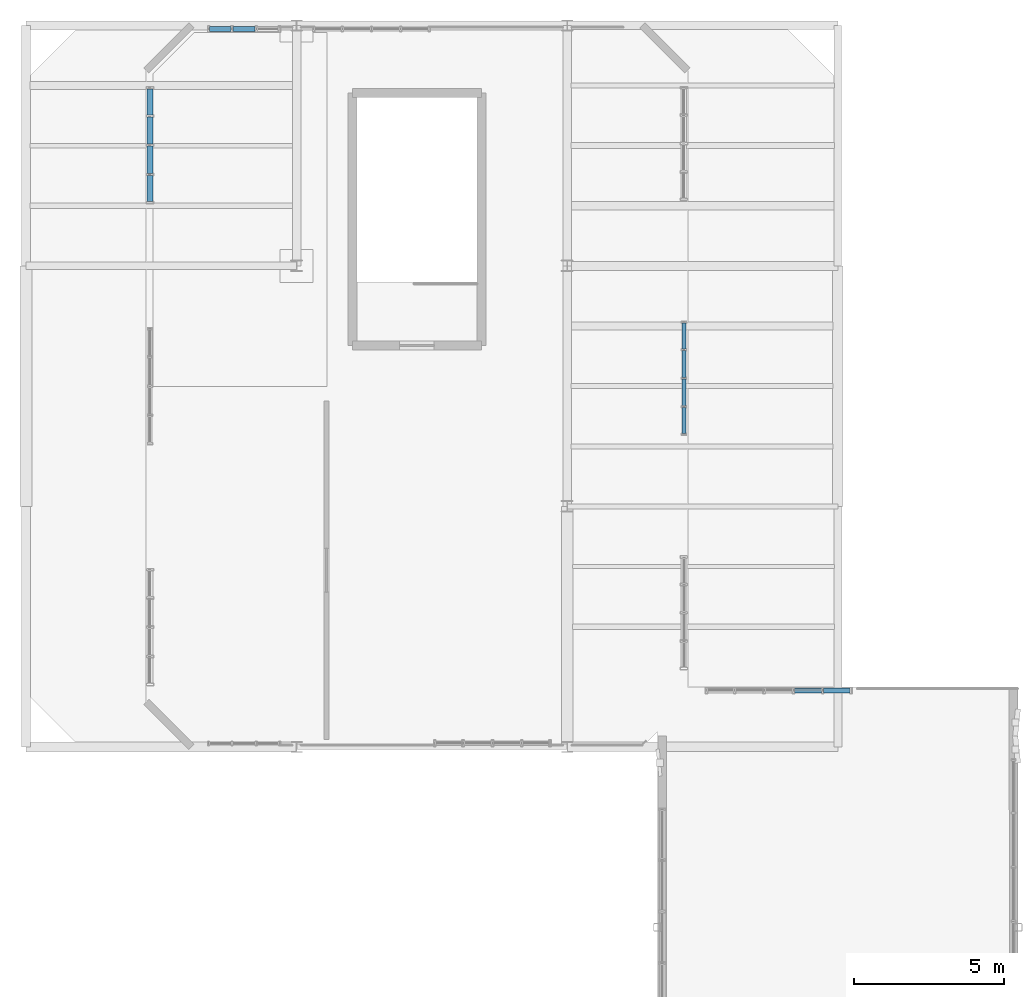
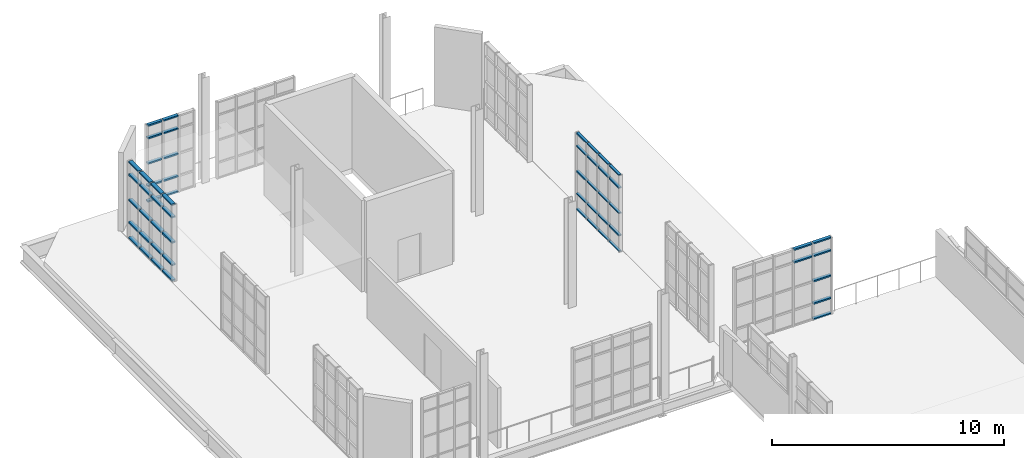
# One storey, part 25 of 36: 57 members, 4 elements without a shape of their own.
"""IFC4 building model written with IfcOpenShell, lengths in metres."""

from ifc_helpers import new_model, si_unit, direction, frame, origin, origin_2d, place, context, subcontext, project, spatial, hollow_rectangle, extrude, material, layer, layer_set, material_profile, profile_set, type_object, element, aggregate, save


model = new_model("IFC4")

# Units and contexts
model_context = context("Model", 3, precision=1e-05, world=origin(), true_north=direction((0.0, 1.0)))
body_context = subcontext(model_context, "Body", "Model", "MODEL_VIEW")
ifc_project = project(units=[si_unit("LENGTHUNIT", "METRE"), si_unit("AREAUNIT", "SQUARE_METRE"), si_unit("VOLUMEUNIT", "CUBIC_METRE"), si_unit("PLANEANGLEUNIT", "RADIAN"), si_unit("MASSUNIT", "GRAM", prefix="KILO"), si_unit("THERMODYNAMICTEMPERATUREUNIT", "KELVIN"), si_unit("POWERUNIT", "WATT")], contexts=[model_context])

# Site, building, storey
site_placement = place(None, origin())
site = spatial("IfcSite", under=ifc_project, at=site_placement, CompositionType="ELEMENT")
building_placement = place(site_placement, origin())
building = spatial("IfcBuilding", under=site, at=building_placement, Name="Zelmaris Science Centre", CompositionType="ELEMENT")
storey_placement = place(building_placement, frame((0.0, 0.0, 25.199951171875)))
storey = spatial("IfcBuildingStorey", under=building, at=storey_placement, Name="L05", CompositionType="ELEMENT", Elevation=25.199951171875)

# Curtain wall, members
ifc_material = material(Name="Anodised architectural aluminium 6063-T6", Category="aluminium")
ifc_layer_1 = layer(ifc_material, 0.2099609375, Name="Anodised architectural aluminium 6063-T6")
ifc_layer_set_1 = layer_set([ifc_layer_1], Name="Anodised architectural aluminium 6063-T6")
curtain_wall_type_1 = type_object("IfcCurtainWallType", Name="Curtain Wall CW-03", PredefinedType="USERDEFINED", material=ifc_layer_set_1)
curtain_wall_1_placement = place(storey_placement, origin())
curtain_wall_1 = element("IfcCurtainWall", 1, at=curtain_wall_1_placement, inside=storey, type_object=curtain_wall_type_1, Name="L05 Unitised curtain wall 363", ObjectType="GLAZED CURTAIN WALL", PredefinedType="USERDEFINED")
ifc_material_profile_1 = material_profile(ifc_material, hollow_rectangle(XDim=0.06494140625, YDim=0.1298828125, WallThickness=0.00341796875, at=origin_2d()), Name="ALU-TRN-65X130")
ifc_profile_set_1 = profile_set([ifc_material_profile_1], Name="Anodised architectural aluminium 6063-T6")
member_type_1 = type_object("IfcMemberType", Name="ALU-TRN-65X130", PredefinedType="USERDEFINED", material=ifc_profile_set_1)
member_1_placement = place(storey_placement, frame((75.88232421875, 78.100341796875, 0.013427734375), z_axis=(0.000283848981, -0.999999959715, 0.0), x_axis=(0.0, 0.0, 1.0)))
member_1 = element("IfcMember", 2, at=member_1_placement, type_object=member_type_1, Name="CW-03 transom 1.1", ObjectType="TRANSOM", PredefinedType="USERDEFINED", context=body_context, shape_type="SweptSolid", body=[
    extrude(hollow_rectangle(XDim=0.06494140625, YDim=0.1298828125, WallThickness=0.00341796875, at=origin_2d()), origin(), (0.0, 0.0, 1.0), 0.860107421875),
])
member_2_placement = place(storey_placement, frame((75.88232421875, 78.100341796875, 0.8349609375), z_axis=(0.000283848981, -0.999999959715, 0.0), x_axis=(0.0, 0.0, 1.0)))
member_2 = element("IfcMember", 3, at=member_2_placement, type_object=member_type_1, Name="CW-03 transom 1.2", ObjectType="TRANSOM", PredefinedType="USERDEFINED", context=body_context, shape_type="SweptSolid", body=[
    extrude(hollow_rectangle(XDim=0.06494140625, YDim=0.1298828125, WallThickness=0.00341796875, at=origin_2d()), origin(), (0.0, 0.0, 1.0), 0.860107421875),
])
member_3_placement = place(storey_placement, frame((75.88232421875, 78.100341796875, 2.012451171875), z_axis=(0.000283848981, -0.999999959715, 0.0), x_axis=(0.0, 0.0, 1.0)))
member_3 = element("IfcMember", 4, at=member_3_placement, type_object=member_type_1, Name="CW-03 transom 1.3", ObjectType="TRANSOM", PredefinedType="USERDEFINED", context=body_context, shape_type="SweptSolid", body=[
    extrude(hollow_rectangle(XDim=0.06494140625, YDim=0.1298828125, WallThickness=0.00341796875, at=origin_2d()), origin(), (0.0, 0.0, 1.0), 0.860107421875),
])
member_4_placement = place(storey_placement, frame((75.88232421875, 78.100341796875, 3.340087890625), z_axis=(0.000283848981, -0.999999959715, 0.0), x_axis=(0.0, 0.0, 1.0)))
member_4 = element("IfcMember", 5, at=member_4_placement, type_object=member_type_1, Name="CW-03 transom 1.4", ObjectType="TRANSOM", PredefinedType="USERDEFINED", context=body_context, shape_type="SweptSolid", body=[
    extrude(hollow_rectangle(XDim=0.06494140625, YDim=0.1298828125, WallThickness=0.00341796875, at=origin_2d()), origin(), (0.0, 0.0, 1.0), 0.860107421875),
])
member_5_placement = place(storey_placement, frame((75.88232421875, 78.100341796875, 4.011474609375), z_axis=(0.000283848981, -0.999999959715, 0.0), x_axis=(0.0, 0.0, 1.0)))
member_5 = element("IfcMember", 6, at=member_5_placement, type_object=member_type_1, Name="CW-03 transom 1.5", ObjectType="TRANSOM", PredefinedType="USERDEFINED", context=body_context, shape_type="SweptSolid", body=[
    extrude(hollow_rectangle(XDim=0.06494140625, YDim=0.1298828125, WallThickness=0.00341796875, at=origin_2d()), origin(), (0.0, 0.0, 1.0), 0.860107421875),
])
member_6_placement = place(storey_placement, frame((75.882568359375, 77.183349609375, 0.013427734375), z_axis=(0.000549601456, -0.999999848969, 0.0), x_axis=(0.0, 0.0, 1.0)))
member_6 = element("IfcMember", 7, at=member_6_placement, type_object=member_type_1, Name="CW-03 transom 2.1", ObjectType="TRANSOM", PredefinedType="USERDEFINED", context=body_context, shape_type="SweptSolid", body=[
    extrude(hollow_rectangle(XDim=0.06494140625, YDim=0.1298828125, WallThickness=0.00341796875, at=origin_2d()), origin(), (0.0, 0.0, 1.0), 0.888427734375),
])
member_7_placement = place(storey_placement, frame((75.882568359375, 77.183349609375, 0.8349609375), z_axis=(0.000549601456, -0.999999848969, 0.0), x_axis=(0.0, 0.0, 1.0)))
member_7 = element("IfcMember", 8, at=member_7_placement, type_object=member_type_1, Name="CW-03 transom 2.2", ObjectType="TRANSOM", PredefinedType="USERDEFINED", context=body_context, shape_type="SweptSolid", body=[
    extrude(hollow_rectangle(XDim=0.06494140625, YDim=0.1298828125, WallThickness=0.00341796875, at=origin_2d()), origin(), (0.0, 0.0, 1.0), 0.888427734375),
])
member_8_placement = place(storey_placement, frame((75.882568359375, 77.183349609375, 2.012451171875), z_axis=(0.000549601456, -0.999999848969, 0.0), x_axis=(0.0, 0.0, 1.0)))
member_8 = element("IfcMember", 9, at=member_8_placement, type_object=member_type_1, Name="CW-03 transom 2.3", ObjectType="TRANSOM", PredefinedType="USERDEFINED", context=body_context, shape_type="SweptSolid", body=[
    extrude(hollow_rectangle(XDim=0.06494140625, YDim=0.1298828125, WallThickness=0.00341796875, at=origin_2d()), origin(), (0.0, 0.0, 1.0), 0.888427734375),
])
member_9_placement = place(storey_placement, frame((75.882568359375, 77.183349609375, 3.340087890625), z_axis=(0.000549601456, -0.999999848969, 0.0), x_axis=(0.0, 0.0, 1.0)))
member_9 = element("IfcMember", 10, at=member_9_placement, type_object=member_type_1, Name="CW-03 transom 2.4", ObjectType="TRANSOM", PredefinedType="USERDEFINED", context=body_context, shape_type="SweptSolid", body=[
    extrude(hollow_rectangle(XDim=0.06494140625, YDim=0.1298828125, WallThickness=0.00341796875, at=origin_2d()), origin(), (0.0, 0.0, 1.0), 0.888427734375),
])
member_10_placement = place(storey_placement, frame((75.882568359375, 77.183349609375, 4.011474609375), z_axis=(0.000549601456, -0.999999848969, 0.0), x_axis=(0.0, 0.0, 1.0)))
member_10 = element("IfcMember", 11, at=member_10_placement, type_object=member_type_1, Name="CW-03 transom 2.5", ObjectType="TRANSOM", PredefinedType="USERDEFINED", context=body_context, shape_type="SweptSolid", body=[
    extrude(hollow_rectangle(XDim=0.06494140625, YDim=0.1298828125, WallThickness=0.00341796875, at=origin_2d()), origin(), (0.0, 0.0, 1.0), 0.888427734375),
])
member_11_placement = place(storey_placement, frame((75.883056640625, 76.23779296875, 0.013427734375), z_axis=(0.000274800759, -0.999999962242, 0.0), x_axis=(0.0, 0.0, 1.0)))
member_11 = element("IfcMember", 12, at=member_11_placement, type_object=member_type_1, Name="CW-03 transom 3.1", ObjectType="TRANSOM", PredefinedType="USERDEFINED", context=body_context, shape_type="SweptSolid", body=[
    extrude(hollow_rectangle(XDim=0.06494140625, YDim=0.1298828125, WallThickness=0.00341796875, at=origin_2d()), origin(), (0.0, 0.0, 1.0), 0.888427734375),
])
member_12_placement = place(storey_placement, frame((75.883056640625, 76.23779296875, 0.8349609375), z_axis=(0.000274800759, -0.999999962242, 0.0), x_axis=(0.0, 0.0, 1.0)))
member_12 = element("IfcMember", 13, at=member_12_placement, type_object=member_type_1, Name="CW-03 transom 3.2", ObjectType="TRANSOM", PredefinedType="USERDEFINED", context=body_context, shape_type="SweptSolid", body=[
    extrude(hollow_rectangle(XDim=0.06494140625, YDim=0.1298828125, WallThickness=0.00341796875, at=origin_2d()), origin(), (0.0, 0.0, 1.0), 0.888427734375),
])
member_13_placement = place(storey_placement, frame((75.883056640625, 76.23779296875, 2.012451171875), z_axis=(0.000274800759, -0.999999962242, 0.0), x_axis=(0.0, 0.0, 1.0)))
member_13 = element("IfcMember", 14, at=member_13_placement, type_object=member_type_1, Name="CW-03 transom 3.3", ObjectType="TRANSOM", PredefinedType="USERDEFINED", context=body_context, shape_type="SweptSolid", body=[
    extrude(hollow_rectangle(XDim=0.06494140625, YDim=0.1298828125, WallThickness=0.00341796875, at=origin_2d()), origin(), (0.0, 0.0, 1.0), 0.888427734375),
])
member_14_placement = place(storey_placement, frame((75.883056640625, 76.23779296875, 3.340087890625), z_axis=(0.000274800759, -0.999999962242, 0.0), x_axis=(0.0, 0.0, 1.0)))
member_14 = element("IfcMember", 15, at=member_14_placement, type_object=member_type_1, Name="CW-03 transom 3.4", ObjectType="TRANSOM", PredefinedType="USERDEFINED", context=body_context, shape_type="SweptSolid", body=[
    extrude(hollow_rectangle(XDim=0.06494140625, YDim=0.1298828125, WallThickness=0.00341796875, at=origin_2d()), origin(), (0.0, 0.0, 1.0), 0.888427734375),
])
member_15_placement = place(storey_placement, frame((75.883056640625, 76.23779296875, 4.011474609375), z_axis=(0.000274800759, -0.999999962242, 0.0), x_axis=(0.0, 0.0, 1.0)))
member_15 = element("IfcMember", 16, at=member_15_placement, type_object=member_type_1, Name="CW-03 transom 3.5", ObjectType="TRANSOM", PredefinedType="USERDEFINED", context=body_context, shape_type="SweptSolid", body=[
    extrude(hollow_rectangle(XDim=0.06494140625, YDim=0.1298828125, WallThickness=0.00341796875, at=origin_2d()), origin(), (0.0, 0.0, 1.0), 0.888427734375),
])
member_16_placement = place(storey_placement, frame((75.883544921875, 75.29248046875, 0.013427734375), z_axis=(0.000283848981, -0.999999959715, 0.0), x_axis=(0.0, 0.0, 1.0)))
member_16 = element("IfcMember", 17, at=member_16_placement, type_object=member_type_1, Name="CW-03 transom 4.1", ObjectType="TRANSOM", PredefinedType="USERDEFINED", context=body_context, shape_type="SweptSolid", body=[
    extrude(hollow_rectangle(XDim=0.06494140625, YDim=0.1298828125, WallThickness=0.00341796875, at=origin_2d()), origin(), (0.0, 0.0, 1.0), 0.860107421875),
])
member_17_placement = place(storey_placement, frame((75.883544921875, 75.29248046875, 0.8349609375), z_axis=(0.000283848981, -0.999999959715, 0.0), x_axis=(0.0, 0.0, 1.0)))
member_17 = element("IfcMember", 18, at=member_17_placement, type_object=member_type_1, Name="CW-03 transom 4.2", ObjectType="TRANSOM", PredefinedType="USERDEFINED", context=body_context, shape_type="SweptSolid", body=[
    extrude(hollow_rectangle(XDim=0.06494140625, YDim=0.1298828125, WallThickness=0.00341796875, at=origin_2d()), origin(), (0.0, 0.0, 1.0), 0.860107421875),
])
member_18_placement = place(storey_placement, frame((75.883544921875, 75.29248046875, 2.012451171875), z_axis=(0.000283848981, -0.999999959715, 0.0), x_axis=(0.0, 0.0, 1.0)))
member_18 = element("IfcMember", 19, at=member_18_placement, type_object=member_type_1, Name="CW-03 transom 4.3", ObjectType="TRANSOM", PredefinedType="USERDEFINED", context=body_context, shape_type="SweptSolid", body=[
    extrude(hollow_rectangle(XDim=0.06494140625, YDim=0.1298828125, WallThickness=0.00341796875, at=origin_2d()), origin(), (0.0, 0.0, 1.0), 0.860107421875),
])
member_19_placement = place(storey_placement, frame((75.883544921875, 75.29248046875, 3.340087890625), z_axis=(0.000283848981, -0.999999959715, 0.0), x_axis=(0.0, 0.0, 1.0)))
member_19 = element("IfcMember", 20, at=member_19_placement, type_object=member_type_1, Name="CW-03 transom 4.4", ObjectType="TRANSOM", PredefinedType="USERDEFINED", context=body_context, shape_type="SweptSolid", body=[
    extrude(hollow_rectangle(XDim=0.06494140625, YDim=0.1298828125, WallThickness=0.00341796875, at=origin_2d()), origin(), (0.0, 0.0, 1.0), 0.860107421875),
])
member_20_placement = place(storey_placement, frame((75.883544921875, 75.29248046875, 4.011474609375), z_axis=(0.000283848981, -0.999999959715, 0.0), x_axis=(0.0, 0.0, 1.0)))
member_20 = element("IfcMember", 21, at=member_20_placement, type_object=member_type_1, Name="CW-03 transom 4.5", ObjectType="TRANSOM", PredefinedType="USERDEFINED", context=body_context, shape_type="SweptSolid", body=[
    extrude(hollow_rectangle(XDim=0.06494140625, YDim=0.1298828125, WallThickness=0.00341796875, at=origin_2d()), origin(), (0.0, 0.0, 1.0), 0.860107421875),
])
aggregate(curtain_wall_1, [member_1, member_2, member_3, member_4, member_5, member_6, member_7, member_8, member_9, member_10, member_11, member_12, member_13, member_14, member_15, member_16, member_17, member_18, member_19, member_20])

ifc_layer_2 = layer(ifc_material, 0.199951171875, Name="Anodised architectural aluminium 6063-T6")
ifc_layer_set_2 = layer_set([ifc_layer_2], Name="Anodised architectural aluminium 6063-T6")
curtain_wall_type_2 = type_object("IfcCurtainWallType", Name="Curtain Wall CW-02", PredefinedType="USERDEFINED", material=ifc_layer_set_2)
curtain_wall_2_placement = place(storey_placement, origin())
curtain_wall_2 = element("IfcCurtainWall", 22, at=curtain_wall_2_placement, inside=storey, type_object=curtain_wall_type_2, Name="L05 Unitised curtain wall 358", ObjectType="GLAZED CURTAIN WALL", PredefinedType="USERDEFINED")
ifc_material_profile_2 = material_profile(ifc_material, hollow_rectangle(XDim=0.074951171875, YDim=0.159912109375, WallThickness=0.00390625, at=origin_2d()), Name="ALU-TRN-75X160")
ifc_profile_set_2 = profile_set([ifc_material_profile_2], Name="Anodised architectural aluminium 6063-T6")
member_type_2 = type_object("IfcMemberType", Name="ALU-TRN-75X160", PredefinedType="USERDEFINED", material=ifc_profile_set_2)
member_21_placement = place(storey_placement, frame((60.1083984375, 87.8798828125, 0.0185546875), z_axis=(1.0, 0.0, 0.0), x_axis=(0.0, 0.0, 1.0)))
member_21 = element("IfcMember", 23, at=member_21_placement, type_object=member_type_2, Name="CW-02 transom 1.1", ObjectType="TRANSOM", PredefinedType="USERDEFINED", context=body_context, shape_type="SweptSolid", body=[
    extrude(hollow_rectangle(XDim=0.074951171875, YDim=0.159912109375, WallThickness=0.00390625, at=origin_2d()), origin(), (0.0, 0.0, 1.0), 0.705810546875),
])
member_22_placement = place(storey_placement, frame((60.1083984375, 87.8798828125, 0.8349609375), z_axis=(1.0, 0.0, 0.0), x_axis=(0.0, 0.0, 1.0)))
member_22 = element("IfcMember", 24, at=member_22_placement, type_object=member_type_2, Name="CW-02 transom 1.2", ObjectType="TRANSOM", PredefinedType="USERDEFINED", context=body_context, shape_type="SweptSolid", body=[
    extrude(hollow_rectangle(XDim=0.074951171875, YDim=0.159912109375, WallThickness=0.00390625, at=origin_2d()), origin(), (0.0, 0.0, 1.0), 0.705810546875),
])
member_23_placement = place(storey_placement, frame((60.1083984375, 87.8798828125, 2.012451171875), z_axis=(1.0, 0.0, 0.0), x_axis=(0.0, 0.0, 1.0)))
member_23 = element("IfcMember", 25, at=member_23_placement, type_object=member_type_2, Name="CW-02 transom 1.3", ObjectType="TRANSOM", PredefinedType="USERDEFINED", context=body_context, shape_type="SweptSolid", body=[
    extrude(hollow_rectangle(XDim=0.074951171875, YDim=0.159912109375, WallThickness=0.00390625, at=origin_2d()), origin(), (0.0, 0.0, 1.0), 0.705810546875),
])
member_24_placement = place(storey_placement, frame((60.1083984375, 87.8798828125, 3.340087890625), z_axis=(1.0, 0.0, 0.0), x_axis=(0.0, 0.0, 1.0)))
member_24 = element("IfcMember", 26, at=member_24_placement, type_object=member_type_2, Name="CW-02 transom 1.4", ObjectType="TRANSOM", PredefinedType="USERDEFINED", context=body_context, shape_type="SweptSolid", body=[
    extrude(hollow_rectangle(XDim=0.074951171875, YDim=0.159912109375, WallThickness=0.00390625, at=origin_2d()), origin(), (0.0, 0.0, 1.0), 0.705810546875),
])
member_25_placement = place(storey_placement, frame((60.1083984375, 87.8798828125, 4.006591796875), z_axis=(1.0, 0.0, 0.0), x_axis=(0.0, 0.0, 1.0)))
member_25 = element("IfcMember", 27, at=member_25_placement, type_object=member_type_2, Name="CW-02 transom 1.5", ObjectType="TRANSOM", PredefinedType="USERDEFINED", context=body_context, shape_type="SweptSolid", body=[
    extrude(hollow_rectangle(XDim=0.074951171875, YDim=0.159912109375, WallThickness=0.00390625, at=origin_2d()), origin(), (0.0, 0.0, 1.0), 0.705810546875),
])
member_26_placement = place(storey_placement, frame((60.881103515625, 87.8798828125, 0.0185546875), z_axis=(1.0, 0.0, 0.0), x_axis=(0.0, 0.0, 1.0)))
member_26 = element("IfcMember", 28, at=member_26_placement, type_object=member_type_2, Name="CW-02 transom 2.1", ObjectType="TRANSOM", PredefinedType="USERDEFINED", context=body_context, shape_type="SweptSolid", body=[
    extrude(hollow_rectangle(XDim=0.074951171875, YDim=0.159912109375, WallThickness=0.00390625, at=origin_2d()), origin(), (0.0, 0.0, 1.0), 0.7392578125),
])
member_27_placement = place(storey_placement, frame((60.881103515625, 87.8798828125, 0.8349609375), z_axis=(1.0, 0.0, 0.0), x_axis=(0.0, 0.0, 1.0)))
member_27 = element("IfcMember", 29, at=member_27_placement, type_object=member_type_2, Name="CW-02 transom 2.2", ObjectType="TRANSOM", PredefinedType="USERDEFINED", context=body_context, shape_type="SweptSolid", body=[
    extrude(hollow_rectangle(XDim=0.074951171875, YDim=0.159912109375, WallThickness=0.00390625, at=origin_2d()), origin(), (0.0, 0.0, 1.0), 0.7392578125),
])
member_28_placement = place(storey_placement, frame((60.881103515625, 87.8798828125, 2.012451171875), z_axis=(1.0, 0.0, 0.0), x_axis=(0.0, 0.0, 1.0)))
member_28 = element("IfcMember", 30, at=member_28_placement, type_object=member_type_2, Name="CW-02 transom 2.3", ObjectType="TRANSOM", PredefinedType="USERDEFINED", context=body_context, shape_type="SweptSolid", body=[
    extrude(hollow_rectangle(XDim=0.074951171875, YDim=0.159912109375, WallThickness=0.00390625, at=origin_2d()), origin(), (0.0, 0.0, 1.0), 0.7392578125),
])
member_29_placement = place(storey_placement, frame((60.881103515625, 87.8798828125, 3.340087890625), z_axis=(1.0, 0.0, 0.0), x_axis=(0.0, 0.0, 1.0)))
member_29 = element("IfcMember", 31, at=member_29_placement, type_object=member_type_2, Name="CW-02 transom 2.4", ObjectType="TRANSOM", PredefinedType="USERDEFINED", context=body_context, shape_type="SweptSolid", body=[
    extrude(hollow_rectangle(XDim=0.074951171875, YDim=0.159912109375, WallThickness=0.00390625, at=origin_2d()), origin(), (0.0, 0.0, 1.0), 0.7392578125),
])
member_30_placement = place(storey_placement, frame((60.881103515625, 87.8798828125, 4.006591796875), z_axis=(1.0, 0.0, 0.0), x_axis=(0.0, 0.0, 1.0)))
member_30 = element("IfcMember", 32, at=member_30_placement, type_object=member_type_2, Name="CW-02 transom 2.5", ObjectType="TRANSOM", PredefinedType="USERDEFINED", context=body_context, shape_type="SweptSolid", body=[
    extrude(hollow_rectangle(XDim=0.074951171875, YDim=0.159912109375, WallThickness=0.00390625, at=origin_2d()), origin(), (0.0, 0.0, 1.0), 0.7392578125),
])
aggregate(curtain_wall_2, [member_21, member_22, member_23, member_24, member_25, member_26, member_27, member_28, member_29, member_30])

curtain_wall_3_placement = place(storey_placement, origin())
curtain_wall_3 = element("IfcCurtainWall", 33, at=curtain_wall_3_placement, inside=storey, type_object=curtain_wall_type_2, Name="L05 Unitised curtain wall 366", ObjectType="GLAZED CURTAIN WALL", PredefinedType="USERDEFINED")
member_31_placement = place(storey_placement, frame((79.555419921875, 65.8798828125, 3.340087890625), z_axis=(1.0, 0.0, 0.0), x_axis=(0.0, 0.0, 1.0)))
member_31 = element("IfcMember", 34, at=member_31_placement, type_object=member_type_2, Name="CW-02 transom 4.4", ObjectType="TRANSOM", PredefinedType="USERDEFINED", context=body_context, shape_type="SweptSolid", body=[
    extrude(hollow_rectangle(XDim=0.074951171875, YDim=0.159912109375, WallThickness=0.00390625, at=origin_2d()), origin(), (0.0, 0.0, 1.0), 0.906982421875),
])
member_32_placement = place(storey_placement, frame((79.555419921875, 65.8798828125, 4.006591796875), z_axis=(1.0, 0.0, 0.0), x_axis=(0.0, 0.0, 1.0)))
member_32 = element("IfcMember", 35, at=member_32_placement, type_object=member_type_2, Name="CW-02 transom 4.5", ObjectType="TRANSOM", PredefinedType="USERDEFINED", context=body_context, shape_type="SweptSolid", body=[
    extrude(hollow_rectangle(XDim=0.074951171875, YDim=0.159912109375, WallThickness=0.00390625, at=origin_2d()), origin(), (0.0, 0.0, 1.0), 0.906982421875),
])
member_33_placement = place(storey_placement, frame((80.529541015625, 65.8798828125, 0.0185546875), z_axis=(1.0, 0.0, 0.0), x_axis=(0.0, 0.0, 1.0)))
member_33 = element("IfcMember", 36, at=member_33_placement, type_object=member_type_2, Name="CW-02 transom 5.1", ObjectType="TRANSOM", PredefinedType="USERDEFINED", context=body_context, shape_type="SweptSolid", body=[
    extrude(hollow_rectangle(XDim=0.074951171875, YDim=0.159912109375, WallThickness=0.00390625, at=origin_2d()), origin(), (0.0, 0.0, 1.0), 0.87353515625),
])
member_34_placement = place(storey_placement, frame((80.529541015625, 65.8798828125, 0.8349609375), z_axis=(1.0, 0.0, 0.0), x_axis=(0.0, 0.0, 1.0)))
member_34 = element("IfcMember", 37, at=member_34_placement, type_object=member_type_2, Name="CW-02 transom 5.2", ObjectType="TRANSOM", PredefinedType="USERDEFINED", context=body_context, shape_type="SweptSolid", body=[
    extrude(hollow_rectangle(XDim=0.074951171875, YDim=0.159912109375, WallThickness=0.00390625, at=origin_2d()), origin(), (0.0, 0.0, 1.0), 0.87353515625),
])
member_35_placement = place(storey_placement, frame((80.529541015625, 65.8798828125, 2.012451171875), z_axis=(1.0, 0.0, 0.0), x_axis=(0.0, 0.0, 1.0)))
member_35 = element("IfcMember", 38, at=member_35_placement, type_object=member_type_2, Name="CW-02 transom 5.3", ObjectType="TRANSOM", PredefinedType="USERDEFINED", context=body_context, shape_type="SweptSolid", body=[
    extrude(hollow_rectangle(XDim=0.074951171875, YDim=0.159912109375, WallThickness=0.00390625, at=origin_2d()), origin(), (0.0, 0.0, 1.0), 0.87353515625),
])
member_36_placement = place(storey_placement, frame((80.529541015625, 65.8798828125, 3.340087890625), z_axis=(1.0, 0.0, 0.0), x_axis=(0.0, 0.0, 1.0)))
member_36 = element("IfcMember", 39, at=member_36_placement, type_object=member_type_2, Name="CW-02 transom 5.4", ObjectType="TRANSOM", PredefinedType="USERDEFINED", context=body_context, shape_type="SweptSolid", body=[
    extrude(hollow_rectangle(XDim=0.074951171875, YDim=0.159912109375, WallThickness=0.00390625, at=origin_2d()), origin(), (0.0, 0.0, 1.0), 0.87353515625),
])
member_37_placement = place(storey_placement, frame((80.529541015625, 65.8798828125, 4.006591796875), z_axis=(1.0, 0.0, 0.0), x_axis=(0.0, 0.0, 1.0)))
member_37 = element("IfcMember", 40, at=member_37_placement, type_object=member_type_2, Name="CW-02 transom 5.5", ObjectType="TRANSOM", PredefinedType="USERDEFINED", context=body_context, shape_type="SweptSolid", body=[
    extrude(hollow_rectangle(XDim=0.074951171875, YDim=0.159912109375, WallThickness=0.00390625, at=origin_2d()), origin(), (0.0, 0.0, 1.0), 0.87353515625),
])
aggregate(curtain_wall_3, [member_31, member_32, member_33, member_34, member_35, member_36, member_37])

ifc_layer_3 = layer(ifc_material, 0.18994140625, Name="Anodised architectural aluminium 6063-T6")
ifc_layer_set_3 = layer_set([ifc_layer_3], Name="Anodised architectural aluminium 6063-T6")
curtain_wall_type_3 = type_object("IfcCurtainWallType", Name="Curtain Wall CW-01", PredefinedType="USERDEFINED", material=ifc_layer_set_3)
curtain_wall_4_placement = place(storey_placement, origin())
curtain_wall_4 = element("IfcCurtainWall", 41, at=curtain_wall_4_placement, inside=storey, type_object=curtain_wall_type_3, Name="L05 Unitised curtain wall 381", ObjectType="GLAZED CURTAIN WALL", PredefinedType="USERDEFINED")
ifc_material_profile_3 = material_profile(ifc_material, hollow_rectangle(XDim=0.080078125, YDim=0.18994140625, WallThickness=0.00439453125, at=origin_2d()), Name="ALU-TRN-80X190")
ifc_profile_set_3 = profile_set([ifc_material_profile_3], Name="Anodised architectural aluminium 6063-T6")
member_type_3 = type_object("IfcMemberType", Name="ALU-TRN-80X190", PredefinedType="USERDEFINED", material=ifc_profile_set_3)
member_38_placement = place(storey_placement, frame((58.1201171875, 82.142822265625, 0.02099609375), z_axis=(0.0, 1.0, 0.0), x_axis=(0.0, 0.0, 1.0)))
member_38 = element("IfcMember", 42, at=member_38_placement, type_object=member_type_3, Name="CW-01 transom 1.1", ObjectType="TRANSOM", PredefinedType="USERDEFINED", context=body_context, shape_type="SweptSolid", body=[
    extrude(hollow_rectangle(XDim=0.080078125, YDim=0.18994140625, WallThickness=0.00439453125, at=origin_2d()), origin(), (0.0, 0.0, 1.0), 0.864013671875),
])
member_39_placement = place(storey_placement, frame((58.1201171875, 82.142822265625, 0.8349609375), z_axis=(0.0, 1.0, 0.0), x_axis=(0.0, 0.0, 1.0)))
member_39 = element("IfcMember", 43, at=member_39_placement, type_object=member_type_3, Name="CW-01 transom 1.2", ObjectType="TRANSOM", PredefinedType="USERDEFINED", context=body_context, shape_type="SweptSolid", body=[
    extrude(hollow_rectangle(XDim=0.080078125, YDim=0.18994140625, WallThickness=0.00439453125, at=origin_2d()), origin(), (0.0, 0.0, 1.0), 0.864013671875),
])
member_40_placement = place(storey_placement, frame((58.1201171875, 82.142822265625, 2.012451171875), z_axis=(0.0, 1.0, 0.0), x_axis=(0.0, 0.0, 1.0)))
member_40 = element("IfcMember", 44, at=member_40_placement, type_object=member_type_3, Name="CW-01 transom 1.3", ObjectType="TRANSOM", PredefinedType="USERDEFINED", context=body_context, shape_type="SweptSolid", body=[
    extrude(hollow_rectangle(XDim=0.080078125, YDim=0.18994140625, WallThickness=0.00439453125, at=origin_2d()), origin(), (0.0, 0.0, 1.0), 0.864013671875),
])
member_41_placement = place(storey_placement, frame((58.1201171875, 82.142822265625, 3.340087890625), z_axis=(0.0, 1.0, 0.0), x_axis=(0.0, 0.0, 1.0)))
member_41 = element("IfcMember", 45, at=member_41_placement, type_object=member_type_3, Name="CW-01 transom 1.4", ObjectType="TRANSOM", PredefinedType="USERDEFINED", context=body_context, shape_type="SweptSolid", body=[
    extrude(hollow_rectangle(XDim=0.080078125, YDim=0.18994140625, WallThickness=0.00439453125, at=origin_2d()), origin(), (0.0, 0.0, 1.0), 0.864013671875),
])
member_42_placement = place(storey_placement, frame((58.1201171875, 82.142822265625, 4.004150390625), z_axis=(0.0, 1.0, 0.0), x_axis=(0.0, 0.0, 1.0)))
member_42 = element("IfcMember", 46, at=member_42_placement, type_object=member_type_3, Name="CW-01 transom 1.5", ObjectType="TRANSOM", PredefinedType="USERDEFINED", context=body_context, shape_type="SweptSolid", body=[
    extrude(hollow_rectangle(XDim=0.080078125, YDim=0.18994140625, WallThickness=0.00439453125, at=origin_2d()), origin(), (0.0, 0.0, 1.0), 0.864013671875),
])
member_43_placement = place(storey_placement, frame((58.1201171875, 83.07861328125, 0.02099609375), z_axis=(0.0, 1.0, 0.0), x_axis=(0.0, 0.0, 1.0)))
member_43 = element("IfcMember", 47, at=member_43_placement, type_object=member_type_3, Name="CW-01 transom 2.1", ObjectType="TRANSOM", PredefinedType="USERDEFINED", context=body_context, shape_type="SweptSolid", body=[
    extrude(hollow_rectangle(XDim=0.080078125, YDim=0.18994140625, WallThickness=0.00439453125, at=origin_2d()), origin(), (0.0, 0.0, 1.0), 0.900146484375),
])
member_44_placement = place(storey_placement, frame((58.1201171875, 83.07861328125, 0.8349609375), z_axis=(0.0, 1.0, 0.0), x_axis=(0.0, 0.0, 1.0)))
member_44 = element("IfcMember", 48, at=member_44_placement, type_object=member_type_3, Name="CW-01 transom 2.2", ObjectType="TRANSOM", PredefinedType="USERDEFINED", context=body_context, shape_type="SweptSolid", body=[
    extrude(hollow_rectangle(XDim=0.080078125, YDim=0.18994140625, WallThickness=0.00439453125, at=origin_2d()), origin(), (0.0, 0.0, 1.0), 0.900146484375),
])
member_45_placement = place(storey_placement, frame((58.1201171875, 83.07861328125, 2.012451171875), z_axis=(0.0, 1.0, 0.0), x_axis=(0.0, 0.0, 1.0)))
member_45 = element("IfcMember", 49, at=member_45_placement, type_object=member_type_3, Name="CW-01 transom 2.3", ObjectType="TRANSOM", PredefinedType="USERDEFINED", context=body_context, shape_type="SweptSolid", body=[
    extrude(hollow_rectangle(XDim=0.080078125, YDim=0.18994140625, WallThickness=0.00439453125, at=origin_2d()), origin(), (0.0, 0.0, 1.0), 0.900146484375),
])
member_46_placement = place(storey_placement, frame((58.1201171875, 83.07861328125, 3.340087890625), z_axis=(0.0, 1.0, 0.0), x_axis=(0.0, 0.0, 1.0)))
member_46 = element("IfcMember", 50, at=member_46_placement, type_object=member_type_3, Name="CW-01 transom 2.4", ObjectType="TRANSOM", PredefinedType="USERDEFINED", context=body_context, shape_type="SweptSolid", body=[
    extrude(hollow_rectangle(XDim=0.080078125, YDim=0.18994140625, WallThickness=0.00439453125, at=origin_2d()), origin(), (0.0, 0.0, 1.0), 0.900146484375),
])
member_47_placement = place(storey_placement, frame((58.1201171875, 83.07861328125, 4.004150390625), z_axis=(0.0, 1.0, 0.0), x_axis=(0.0, 0.0, 1.0)))
member_47 = element("IfcMember", 51, at=member_47_placement, type_object=member_type_3, Name="CW-01 transom 2.5", ObjectType="TRANSOM", PredefinedType="USERDEFINED", context=body_context, shape_type="SweptSolid", body=[
    extrude(hollow_rectangle(XDim=0.080078125, YDim=0.18994140625, WallThickness=0.00439453125, at=origin_2d()), origin(), (0.0, 0.0, 1.0), 0.900146484375),
])
member_48_placement = place(storey_placement, frame((58.1201171875, 84.050537109375, 0.02099609375), z_axis=(0.0, 1.0, 0.0), x_axis=(0.0, 0.0, 1.0)))
member_48 = element("IfcMember", 52, at=member_48_placement, type_object=member_type_3, Name="CW-01 transom 3.1", ObjectType="TRANSOM", PredefinedType="USERDEFINED", context=body_context, shape_type="SweptSolid", body=[
    extrude(hollow_rectangle(XDim=0.080078125, YDim=0.18994140625, WallThickness=0.00439453125, at=origin_2d()), origin(), (0.0, 0.0, 1.0), 0.900146484375),
])
member_49_placement = place(storey_placement, frame((58.1201171875, 84.050537109375, 0.8349609375), z_axis=(0.0, 1.0, 0.0), x_axis=(0.0, 0.0, 1.0)))
member_49 = element("IfcMember", 53, at=member_49_placement, type_object=member_type_3, Name="CW-01 transom 3.2", ObjectType="TRANSOM", PredefinedType="USERDEFINED", context=body_context, shape_type="SweptSolid", body=[
    extrude(hollow_rectangle(XDim=0.080078125, YDim=0.18994140625, WallThickness=0.00439453125, at=origin_2d()), origin(), (0.0, 0.0, 1.0), 0.900146484375),
])
member_50_placement = place(storey_placement, frame((58.1201171875, 84.050537109375, 2.012451171875), z_axis=(0.0, 1.0, 0.0), x_axis=(0.0, 0.0, 1.0)))
member_50 = element("IfcMember", 54, at=member_50_placement, type_object=member_type_3, Name="CW-01 transom 3.3", ObjectType="TRANSOM", PredefinedType="USERDEFINED", context=body_context, shape_type="SweptSolid", body=[
    extrude(hollow_rectangle(XDim=0.080078125, YDim=0.18994140625, WallThickness=0.00439453125, at=origin_2d()), origin(), (0.0, 0.0, 1.0), 0.900146484375),
])
member_51_placement = place(storey_placement, frame((58.1201171875, 84.050537109375, 3.340087890625), z_axis=(0.0, 1.0, 0.0), x_axis=(0.0, 0.0, 1.0)))
member_51 = element("IfcMember", 55, at=member_51_placement, type_object=member_type_3, Name="CW-01 transom 3.4", ObjectType="TRANSOM", PredefinedType="USERDEFINED", context=body_context, shape_type="SweptSolid", body=[
    extrude(hollow_rectangle(XDim=0.080078125, YDim=0.18994140625, WallThickness=0.00439453125, at=origin_2d()), origin(), (0.0, 0.0, 1.0), 0.900146484375),
])
member_52_placement = place(storey_placement, frame((58.1201171875, 84.050537109375, 4.004150390625), z_axis=(0.0, 1.0, 0.0), x_axis=(0.0, 0.0, 1.0)))
member_52 = element("IfcMember", 56, at=member_52_placement, type_object=member_type_3, Name="CW-01 transom 3.5", ObjectType="TRANSOM", PredefinedType="USERDEFINED", context=body_context, shape_type="SweptSolid", body=[
    extrude(hollow_rectangle(XDim=0.080078125, YDim=0.18994140625, WallThickness=0.00439453125, at=origin_2d()), origin(), (0.0, 0.0, 1.0), 0.900146484375),
])
member_53_placement = place(storey_placement, frame((58.1201171875, 85.0224609375, 0.02099609375), z_axis=(0.0, 1.0, 0.0), x_axis=(0.0, 0.0, 1.0)))
member_53 = element("IfcMember", 57, at=member_53_placement, type_object=member_type_3, Name="CW-01 transom 4.1", ObjectType="TRANSOM", PredefinedType="USERDEFINED", context=body_context, shape_type="SweptSolid", body=[
    extrude(hollow_rectangle(XDim=0.080078125, YDim=0.18994140625, WallThickness=0.00439453125, at=origin_2d()), origin(), (0.0, 0.0, 1.0), 0.864013671875),
])
member_54_placement = place(storey_placement, frame((58.1201171875, 85.0224609375, 0.8349609375), z_axis=(0.0, 1.0, 0.0), x_axis=(0.0, 0.0, 1.0)))
member_54 = element("IfcMember", 58, at=member_54_placement, type_object=member_type_3, Name="CW-01 transom 4.2", ObjectType="TRANSOM", PredefinedType="USERDEFINED", context=body_context, shape_type="SweptSolid", body=[
    extrude(hollow_rectangle(XDim=0.080078125, YDim=0.18994140625, WallThickness=0.00439453125, at=origin_2d()), origin(), (0.0, 0.0, 1.0), 0.864013671875),
])
member_55_placement = place(storey_placement, frame((58.1201171875, 85.0224609375, 2.012451171875), z_axis=(0.0, 1.0, 0.0), x_axis=(0.0, 0.0, 1.0)))
member_55 = element("IfcMember", 59, at=member_55_placement, type_object=member_type_3, Name="CW-01 transom 4.3", ObjectType="TRANSOM", PredefinedType="USERDEFINED", context=body_context, shape_type="SweptSolid", body=[
    extrude(hollow_rectangle(XDim=0.080078125, YDim=0.18994140625, WallThickness=0.00439453125, at=origin_2d()), origin(), (0.0, 0.0, 1.0), 0.864013671875),
])
member_56_placement = place(storey_placement, frame((58.1201171875, 85.0224609375, 3.340087890625), z_axis=(0.0, 1.0, 0.0), x_axis=(0.0, 0.0, 1.0)))
member_56 = element("IfcMember", 60, at=member_56_placement, type_object=member_type_3, Name="CW-01 transom 4.4", ObjectType="TRANSOM", PredefinedType="USERDEFINED", context=body_context, shape_type="SweptSolid", body=[
    extrude(hollow_rectangle(XDim=0.080078125, YDim=0.18994140625, WallThickness=0.00439453125, at=origin_2d()), origin(), (0.0, 0.0, 1.0), 0.864013671875),
])
member_57_placement = place(storey_placement, frame((58.1201171875, 85.0224609375, 4.004150390625), z_axis=(0.0, 1.0, 0.0), x_axis=(0.0, 0.0, 1.0)))
member_57 = element("IfcMember", 61, at=member_57_placement, type_object=member_type_3, Name="CW-01 transom 4.5", ObjectType="TRANSOM", PredefinedType="USERDEFINED", context=body_context, shape_type="SweptSolid", body=[
    extrude(hollow_rectangle(XDim=0.080078125, YDim=0.18994140625, WallThickness=0.00439453125, at=origin_2d()), origin(), (0.0, 0.0, 1.0), 0.864013671875),
])
aggregate(curtain_wall_4, [member_38, member_39, member_40, member_41, member_42, member_43, member_44, member_45, member_46, member_47, member_48, member_49, member_50, member_51, member_52, member_53, member_54, member_55, member_56, member_57])

save(model, "model.ifc")
